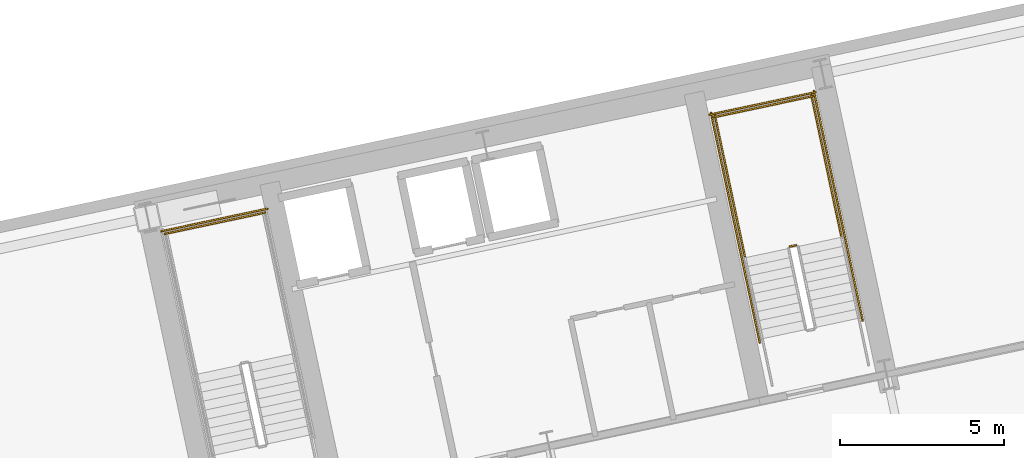
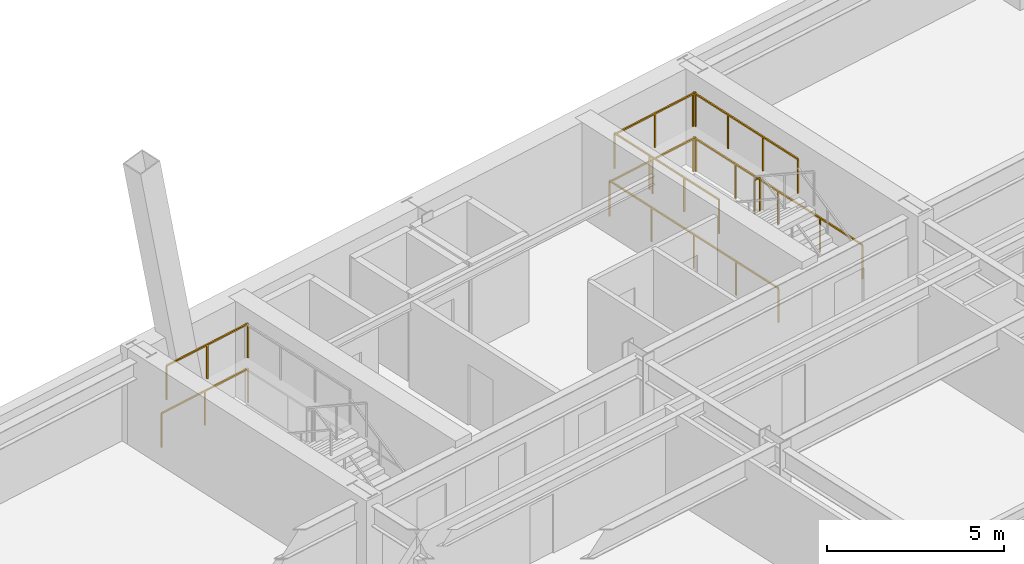
# One storey, part 17 of 18: 9 railings.
"""IFC4 building model written with IfcOpenShell, lengths in metres."""

import ifcopenshell
import ifcopenshell.guid

model = None  # the IFC model being written
_history = None  # IfcOwnerHistory: only IFC2X3 demands one
_inside = {}  # id of a spatial element -> (the spatial element, [elements in it])
_under = {}  # id of a project, library or spatial element -> (it, [spatial elements below it])
_declared = {}  # id of a project -> (the project, [libraries it declares])
_typed = {}  # id of a type object -> (the type object, [elements of that type])
_made_of = {}  # id of a material, layer set ... -> (it, [elements and type objects made of it])


def new_model(schema):
    """Start an empty IFC model of exactly this schema.

    Asked for "IFC4X3", IfcOpenShell would pick the latest addendum, in which some entities
    have other attributes; the version numbers below select the first issue.
    IFC2X3 requires an IfcOwnerHistory on every rooted entity: one is made here for all.
    """
    global model, _history
    if schema == "IFC4X3":
        model = ifcopenshell.file(schema_version=(4, 3, 0, 0))
    else:
        model = ifcopenshell.file(schema=schema)
    _inside.clear()
    _under.clear()
    _declared.clear()
    _typed.clear()
    _made_of.clear()
    _history = None
    if model.schema == "IFC2X3":
        org = make("IfcOrganization", Name="unknown")
        user = make(
            "IfcPersonAndOrganization",
            ThePerson=make("IfcPerson", FamilyName="unknown"),
            TheOrganization=org,
        )
        app = make(
            "IfcApplication",
            ApplicationDeveloper=org,
            Version="unknown",
            ApplicationFullName="unknown",
            ApplicationIdentifier="unknown",
        )
        _history = make(
            "IfcOwnerHistory",
            OwningUser=user,
            OwningApplication=app,
            ChangeAction="ADDED",
            CreationDate=0,
        )
    return model


def make(cls, **values):
    """One entity of the class cls with the attributes given. An attribute that is None is left unset."""
    return model.create_entity(
        cls, **{name: value for name, value in values.items() if value is not None}
    )


def rooted(cls, **values):
    """An entity with a GlobalId (a new one), such as an element, a storey or a relation."""
    return make(cls, GlobalId=ifcopenshell.guid.new(), OwnerHistory=_history, **values)


def si_unit(unit_type, name, prefix=None):
    """IfcSIUnit, for example si_unit("LENGTHUNIT", "METRE", prefix="MILLI")."""
    return make("IfcSIUnit", UnitType=unit_type, Prefix=prefix, Name=name)


def assignment(units):
    """IfcUnitAssignment: the units of a project."""
    return None if units is None else make("IfcUnitAssignment", Units=units)


def point(xyz):
    """IfcCartesianPoint."""
    return None if xyz is None else make("IfcCartesianPoint", Coordinates=xyz)


def direction(xyz):
    """IfcDirection."""
    return None if xyz is None else make("IfcDirection", DirectionRatios=xyz)


def frame(location, z_axis=None, x_axis=None):
    """IfcAxis2Placement3D, a coordinate frame: its origin and axes. An axis left out is left unset."""
    return make(
        "IfcAxis2Placement3D",
        Location=point(location),
        Axis=direction(z_axis),
        RefDirection=direction(x_axis),
    )


def frame_2d(location, x_axis=None):
    """IfcAxis2Placement2D, a coordinate frame in the plane: its origin and x axis."""
    return make(
        "IfcAxis2Placement2D", Location=point(location), RefDirection=direction(x_axis)
    )


def origin():
    """The frame at (0, 0, 0) with its axes left unset."""
    return frame((0.0, 0.0, 0.0))


def origin_2d():
    """The frame at (0, 0) in the plane with its x axis left unset."""
    return frame_2d((0.0, 0.0))


def place(relative_to, where):
    """IfcLocalPlacement: puts the frame where relative to a parent placement (None: the world)."""
    return make(
        "IfcLocalPlacement", PlacementRelTo=relative_to, RelativePlacement=where
    )


def context(
    kind, dimensions, precision=None, world=None, true_north=None, identifier=None
):
    """IfcGeometricRepresentationContext, for example the 3D "Model" context."""
    return make(
        "IfcGeometricRepresentationContext",
        ContextIdentifier=identifier,
        ContextType=kind,
        CoordinateSpaceDimension=dimensions,
        Precision=precision,
        WorldCoordinateSystem=world,
        TrueNorth=true_north,
    )


def subcontext(parent, identifier, kind, view, scale=None):
    """IfcGeometricRepresentationSubContext, for example "Body" below "Model"."""
    return make(
        "IfcGeometricRepresentationSubContext",
        ContextIdentifier=identifier,
        ContextType=kind,
        ParentContext=parent,
        TargetScale=scale,
        TargetView=view,
    )


def project(units=None, contexts=None):
    """IfcProject with its units and contexts."""
    return rooted(
        "IfcProject",
        Name="project",
        RepresentationContexts=contexts,
        UnitsInContext=assignment(units),
    )


def spatial(cls, under=None, at=None, **own):
    """A site, building, storey or space (cls), placed at a placement, below another one or the project."""
    s = rooted(cls, ObjectPlacement=at, **own)
    if under is not None:
        _under.setdefault(under.id(), (under, []))[1].append(s)
    return s


def profile(cls, at=None, kind="AREA", **sizes):
    """A parametric profile (cls). Its sizes go by their IFC names, for example OverallWidth=200.0."""
    return make(cls, ProfileType=kind, Position=at, **sizes)


def rectangle(**sizes):
    """IfcRectangleProfileDef."""
    return profile("IfcRectangleProfileDef", **sizes)


def extrude(swept, where, along, depth):
    """IfcExtrudedAreaSolid: the profile swept, set in the frame where, extruded along a direction by depth."""
    return make(
        "IfcExtrudedAreaSolid",
        SweptArea=swept,
        Position=where,
        ExtrudedDirection=direction(along),
        Depth=depth,
    )


def shape(context_of_items, identifier, shape_type, items):
    """IfcShapeRepresentation: the items that make up one representation, for example the "Body"."""
    return make(
        "IfcShapeRepresentation",
        ContextOfItems=context_of_items,
        RepresentationIdentifier=identifier,
        RepresentationType=shape_type,
        Items=items,
    )


def material(Name=None, Category=None):
    """IfcMaterial."""
    return make("IfcMaterial", Name=Name, Category=Category)


def made_of(thing, what):
    """Note that an element or type object is made of a material, layer set ...; save() writes the relation."""
    if what is not None:
        _made_of.setdefault(what.id(), (what, []))[1].append(thing)
    return thing


def type_object(cls, material=None, **own):
    """A type object (cls), such as IfcWallType, which elements share."""
    return made_of(rooted(cls, **own), material)


def element(
    cls,
    number,
    at=None,
    inside=None,
    cuts=None,
    type_object=None,
    material=None,
    context=None,
    identifier="Body",
    shape_type=None,
    held_by="IfcProductDefinitionShape",
    body=None,
    shapes=None,
    **own,
):
    """One element of the class cls, such as IfcWall. Its Tag is "e" and its number.

    at: its placement. inside: the storey or other place that contains it. cuts: it is an
    opening in that element (IfcRelVoidsElement). A single representation is given by context,
    identifier, shape_type and body (its items); several are given by shapes. held_by: the class
    of the entity that holds the representations. save() writes the other relations.
    """
    e = rooted(cls, Tag="e%d" % number, ObjectPlacement=at, **own)
    if body is not None:
        shapes = [shape(context, identifier, shape_type, body)]
    if shapes is not None:
        e.Representation = make(held_by, Representations=shapes)
    if inside is not None:
        _inside.setdefault(inside.id(), (inside, []))[1].append(e)
    if cuts is not None:
        rooted(
            "IfcRelVoidsElement", RelatingBuildingElement=cuts, RelatedOpeningElement=e
        )
    if type_object is not None:
        _typed.setdefault(type_object.id(), (type_object, []))[1].append(e)
    return made_of(e, material)


def aggregate(whole, parts):
    """IfcRelAggregates: a whole, such as a stair, and the parts it consists of."""
    return rooted("IfcRelAggregates", RelatingObject=whole, RelatedObjects=parts)


def save(model, path):
    """Write the relations noted so far, then the file.

    IfcRelAggregates (storeys below a building ...), IfcRelContainedInSpatialStructure (elements
    in a storey), IfcRelDefinesByType, IfcRelAssociatesMaterial and IfcRelDeclares: one each for
    every whole, place, type object, material and project.
    """
    for whole, parts in _under.values():
        aggregate(whole, parts)
    for where, things in _inside.values():
        rooted(
            "IfcRelContainedInSpatialStructure",
            RelatedElements=things,
            RelatingStructure=where,
        )
    for kind, things in _typed.values():
        rooted("IfcRelDefinesByType", RelatedObjects=things, RelatingType=kind)
    for what, things in _made_of.values():
        rooted("IfcRelAssociatesMaterial", RelatedObjects=things, RelatingMaterial=what)
    for by, libraries in _declared.values():
        rooted("IfcRelDeclares", RelatingContext=by, RelatedDefinitions=libraries)
    model.write(path)


model = new_model("IFC4")

# Units and contexts
model_context = context("Model", 3, precision=1e-05, world=origin(), true_north=direction((0.0, 1.0)))
body_context = subcontext(model_context, "Body", "Model", "MODEL_VIEW")
ifc_project = project(units=[si_unit("LENGTHUNIT", "METRE"), si_unit("AREAUNIT", "SQUARE_METRE"), si_unit("VOLUMEUNIT", "CUBIC_METRE"), si_unit("PLANEANGLEUNIT", "RADIAN"), si_unit("MASSUNIT", "GRAM", prefix="KILO")], contexts=[model_context])

# Site, building, storey
site_placement = place(None, origin())
site = spatial("IfcSite", under=ifc_project, at=site_placement, CompositionType="ELEMENT")
building_placement = place(site_placement, origin())
building = spatial("IfcBuilding", under=site, at=building_placement, Name="Haevon Station Towers", CompositionType="ELEMENT")
storey_placement = place(building_placement, frame((0.0, 0.0, 60.300048828125)))
storey = spatial("IfcBuildingStorey", under=building, at=storey_placement, Name="L15", CompositionType="ELEMENT", Elevation=60.300048828125)

# Railings
ifc_material = material(Name="Steel S355", Category="steel")
railing_type = type_object("IfcRailingType", Name="GRD-STR1200", PredefinedType="GUARDRAIL", material=ifc_material)
railing_1_placement = place(storey_placement, frame((100.376220703125, 46.733154296875, 1.64990234375)))
element("IfcRailing", 1, at=railing_1_placement, inside=storey, type_object=railing_type, Name="L15 ST3 Stair Guard 5", PredefinedType="GUARDRAIL", context=body_context, shape_type="SweptSolid", body=[
    extrude(rectangle(XDim=0.048095703125, YDim=0.048095703125, at=origin_2d()), frame((0.0, 0.0, 1.17578125), z_axis=(-0.978146839882, -0.207915270313, 0.0), x_axis=(0.207915270313, -0.978146839882, 0.0)), (0.0, 0.0, 1.0), 3.099853515625),
    extrude(rectangle(XDim=0.0419921875, YDim=0.0419921875, at=origin_2d()), origin(), (0.0, 0.0, 1.0), 1.15185546875),
    extrude(rectangle(XDim=0.0419921875, YDim=0.0419921875, at=origin_2d()), frame((-1.51611328125, -0.322265625, 0.0)), (0.0, 0.0, 1.0), 1.15185546875),
    extrude(rectangle(XDim=0.0419921875, YDim=0.0419921875, at=origin_2d()), frame((-3.0322265625, -0.64453125, 0.0)), (0.0, 0.0, 1.0), 1.15185546875),
])
railing_2_placement = place(storey_placement, frame((100.453125, 46.8515625, 0.0)))
element("IfcRailing", 2, at=railing_2_placement, inside=storey, type_object=railing_type, Name="L15 ST3 Stair Guard 12", PredefinedType="GUARDRAIL", context=body_context, shape_type="SweptSolid", body=[
    extrude(rectangle(XDim=0.048095703125, YDim=0.048095703125, at=origin_2d()), frame((0.0, 0.0, 1.17578125), z_axis=(-0.978150764849, -0.207896804268, 0.0), x_axis=(0.207896804268, -0.978150764849, 0.0)), (0.0, 0.0, 1.0), 3.2998046875),
    extrude(rectangle(XDim=0.0419921875, YDim=0.0419921875, at=origin_2d()), origin(), (0.0, 0.0, 1.0), 1.15185546875),
    extrude(rectangle(XDim=0.0419921875, YDim=0.0419921875, at=origin_2d()), frame((-1.61376953125, -0.343017578125, 0.0)), (0.0, 0.0, 1.0), 1.15185546875),
    extrude(rectangle(XDim=0.0419921875, YDim=0.0419921875, at=origin_2d()), frame((-3.227783203125, -0.68603515625, 0.0)), (0.0, 0.0, 1.0), 1.15185546875),
])
railing_3_placement = place(storey_placement, frame((116.54541015625, 45.7431640625, 1.64990234375)))
element("IfcRailing", 3, at=railing_3_placement, inside=storey, type_object=railing_type, Name="L15 ST4 Stair Guard 2", PredefinedType="GUARDRAIL", context=body_context, shape_type="SweptSolid", body=[
    extrude(rectangle(XDim=0.048095703125, YDim=0.048095703125, at=origin_2d()), frame((0.0, 0.0, 1.17578125), z_axis=(-0.97826412705, -0.207362720198, 0.0), x_axis=(0.207362720198, -0.97826412705, 0.0)), (0.0, 0.0, 1.0), 0.2001953125),
    extrude(rectangle(XDim=0.0419921875, YDim=0.0419921875, at=origin_2d()), origin(), (0.0, 0.0, 1.0), 1.15185546875),
    extrude(rectangle(XDim=0.0419921875, YDim=0.0419921875, at=origin_2d()), frame((-0.19580078125, -0.04150390625, 0.0)), (0.0, 0.0, 1.0), 1.15185546875),
])
railing_4_placement = place(storey_placement, frame((117.925048828125, 45.9853515625, 1.64990234375)))
element("IfcRailing", 4, at=railing_4_placement, inside=storey, type_object=railing_type, Name="L15 ST4 Stair Guard 3", PredefinedType="GUARDRAIL", context=body_context, shape_type="SweptSolid", body=[
    extrude(rectangle(XDim=0.048095703125, YDim=0.048095703125, at=origin_2d()), frame((0.0, 0.0, 1.17578125), z_axis=(-0.207876551949, 0.978155069071, 0.0), x_axis=(-0.978155069071, -0.207876551949, 0.0)), (0.0, 0.0, 1.0), 4.429931640625),
    extrude(rectangle(XDim=0.0419921875, YDim=0.0419921875, at=origin_2d()), origin(), (0.0, 0.0, 1.0), 1.15185546875),
    extrude(rectangle(XDim=0.0419921875, YDim=0.0419921875, at=origin_2d()), frame((-0.306884765625, 1.4443359375, 0.0)), (0.0, 0.0, 1.0), 1.15185546875),
    extrude(rectangle(XDim=0.0419921875, YDim=0.0419921875, at=origin_2d()), frame((-0.614013671875, 2.888916015625, 0.0)), (0.0, 0.0, 1.0), 1.15185546875),
    extrude(rectangle(XDim=0.0419921875, YDim=0.0419921875, at=origin_2d()), frame((-0.9208984375, 4.333251953125, 0.0)), (0.0, 0.0, 1.0), 1.15185546875),
])
railing_5_placement = place(storey_placement, frame((114.99072265625, 45.361572265625, 1.64990234375)))
element("IfcRailing", 5, at=railing_5_placement, inside=storey, type_object=railing_type, Name="L15 ST4 Stair Guard 4", PredefinedType="GUARDRAIL", context=body_context, shape_type="SweptSolid", body=[
    extrude(rectangle(XDim=0.048095703125, YDim=0.048095703125, at=origin_2d()), frame((0.0, 0.0, 1.17578125), z_axis=(-0.207929280007, 0.978143861871, 0.0), x_axis=(-0.978143861871, -0.207929280007, 0.0)), (0.0, 0.0, 1.0), 4.43017578125),
    extrude(rectangle(XDim=0.0419921875, YDim=0.0419921875, at=origin_2d()), origin(), (0.0, 0.0, 1.0), 1.15185546875),
    extrude(rectangle(XDim=0.0419921875, YDim=0.0419921875, at=origin_2d()), frame((-0.30712890625, 1.4443359375, 0.0)), (0.0, 0.0, 1.0), 1.15185546875),
    extrude(rectangle(XDim=0.0419921875, YDim=0.0419921875, at=origin_2d()), frame((-0.614013671875, 2.888916015625, 0.0)), (0.0, 0.0, 1.0), 1.15185546875),
    extrude(rectangle(XDim=0.0419921875, YDim=0.0419921875, at=origin_2d()), frame((-0.921142578125, 4.333251953125, 0.0)), (0.0, 0.0, 1.0), 1.15185546875),
])
railing_6_placement = place(storey_placement, frame((117.0634765625, 50.280029296875, 1.64990234375)))
element("IfcRailing", 6, at=railing_6_placement, inside=storey, type_object=railing_type, Name="L15 ST4 Stair Guard 5", PredefinedType="GUARDRAIL", context=body_context, shape_type="SweptSolid", body=[
    extrude(rectangle(XDim=0.048095703125, YDim=0.048095703125, at=origin_2d()), frame((0.0, 0.0, 1.17578125), z_axis=(-0.978146839882, -0.207915270313, 0.0), x_axis=(0.207915270313, -0.978146839882, 0.0)), (0.0, 0.0, 1.0), 3.099853515625),
    extrude(rectangle(XDim=0.0419921875, YDim=0.0419921875, at=origin_2d()), origin(), (0.0, 0.0, 1.0), 1.15185546875),
    extrude(rectangle(XDim=0.0419921875, YDim=0.0419921875, at=origin_2d()), frame((-1.51611328125, -0.322265625, 0.0)), (0.0, 0.0, 1.0), 1.15185546875),
    extrude(rectangle(XDim=0.0419921875, YDim=0.0419921875, at=origin_2d()), frame((-3.0322265625, -0.64453125, 0.0)), (0.0, 0.0, 1.0), 1.15185546875),
])
railing_7_placement = place(storey_placement, frame((118.567626953125, 43.443359375, 0.0)))
element("IfcRailing", 7, at=railing_7_placement, inside=storey, type_object=railing_type, Name="L15 ST4 Stair Guard 10", PredefinedType="GUARDRAIL", context=body_context, shape_type="SweptSolid", body=[
    extrude(rectangle(XDim=0.048095703125, YDim=0.048095703125, at=origin_2d()), frame((0.0, 0.0, 1.17578125), z_axis=(-0.207908168386, 0.978148349443, 0.0), x_axis=(-0.978148349443, -0.207908168386, 0.0)), (0.0, 0.0, 1.0), 7.150146484375),
    extrude(rectangle(XDim=0.0419921875, YDim=0.0419921875, at=origin_2d()), origin(), (0.0, 0.0, 1.0), 1.15185546875),
    extrude(rectangle(XDim=0.0419921875, YDim=0.0419921875, at=origin_2d()), frame((-0.37158203125, 1.74853515625, 0.0)), (0.0, 0.0, 1.0), 1.15185546875),
    extrude(rectangle(XDim=0.0419921875, YDim=0.0419921875, at=origin_2d()), frame((-0.7431640625, 3.4970703125, 0.0)), (0.0, 0.0, 1.0), 1.15185546875),
    extrude(rectangle(XDim=0.0419921875, YDim=0.0419921875, at=origin_2d()), frame((-1.114990234375, 5.245361328125, 0.0)), (0.0, 0.0, 1.0), 1.15185546875),
    extrude(rectangle(XDim=0.0419921875, YDim=0.0419921875, at=origin_2d()), frame((-1.486572265625, 6.993896484375, 0.0)), (0.0, 0.0, 1.0), 1.15185546875),
])
railing_8_placement = place(storey_placement, frame((115.4375, 42.778076171875, 0.0)))
element("IfcRailing", 8, at=railing_8_placement, inside=storey, type_object=railing_type, Name="L15 ST4 Stair Guard 11", PredefinedType="GUARDRAIL", context=body_context, shape_type="SweptSolid", body=[
    extrude(rectangle(XDim=0.048095703125, YDim=0.048095703125, at=origin_2d()), frame((0.0, 0.0, 1.17578125), z_axis=(-0.207882442208, 0.978153817261, 0.0), x_axis=(-0.978153817261, -0.207882442208, 0.0)), (0.0, 0.0, 1.0), 7.14990234375),
    extrude(rectangle(XDim=0.0419921875, YDim=0.0419921875, at=origin_2d()), origin(), (0.0, 0.0, 1.0), 1.15185546875),
    extrude(rectangle(XDim=0.0419921875, YDim=0.0419921875, at=origin_2d()), frame((-0.37158203125, 1.74853515625, 0.0)), (0.0, 0.0, 1.0), 1.15185546875),
    extrude(rectangle(XDim=0.0419921875, YDim=0.0419921875, at=origin_2d()), frame((-0.7431640625, 3.496826171875, 0.0)), (0.0, 0.0, 1.0), 1.15185546875),
    extrude(rectangle(XDim=0.0419921875, YDim=0.0419921875, at=origin_2d()), frame((-1.11474609375, 5.2451171875, 0.0)), (0.0, 0.0, 1.0), 1.15185546875),
    extrude(rectangle(XDim=0.0419921875, YDim=0.0419921875, at=origin_2d()), frame((-1.486328125, 6.99365234375, 0.0)), (0.0, 0.0, 1.0), 1.15185546875),
])
railing_9_placement = place(storey_placement, frame((117.140380859375, 50.398681640625, 0.0)))
element("IfcRailing", 9, at=railing_9_placement, inside=storey, type_object=railing_type, Name="L15 ST4 Stair Guard 12", PredefinedType="GUARDRAIL", context=body_context, shape_type="SweptSolid", body=[
    extrude(rectangle(XDim=0.048095703125, YDim=0.048095703125, at=origin_2d()), frame((0.0, 0.0, 1.17578125), z_axis=(-0.978135717418, -0.207967589567, 0.0), x_axis=(0.207967589567, -0.978135717418, 0.0)), (0.0, 0.0, 1.0), 3.300048828125),
    extrude(rectangle(XDim=0.0419921875, YDim=0.0419921875, at=origin_2d()), origin(), (0.0, 0.0, 1.0), 1.15185546875),
    extrude(rectangle(XDim=0.0419921875, YDim=0.0419921875, at=origin_2d()), frame((-1.61376953125, -0.34326171875, 0.0)), (0.0, 0.0, 1.0), 1.15185546875),
    extrude(rectangle(XDim=0.0419921875, YDim=0.0419921875, at=origin_2d()), frame((-3.227783203125, -0.686279296875, 0.0)), (0.0, 0.0, 1.0), 1.15185546875),
])

save(model, "model.ifc")
